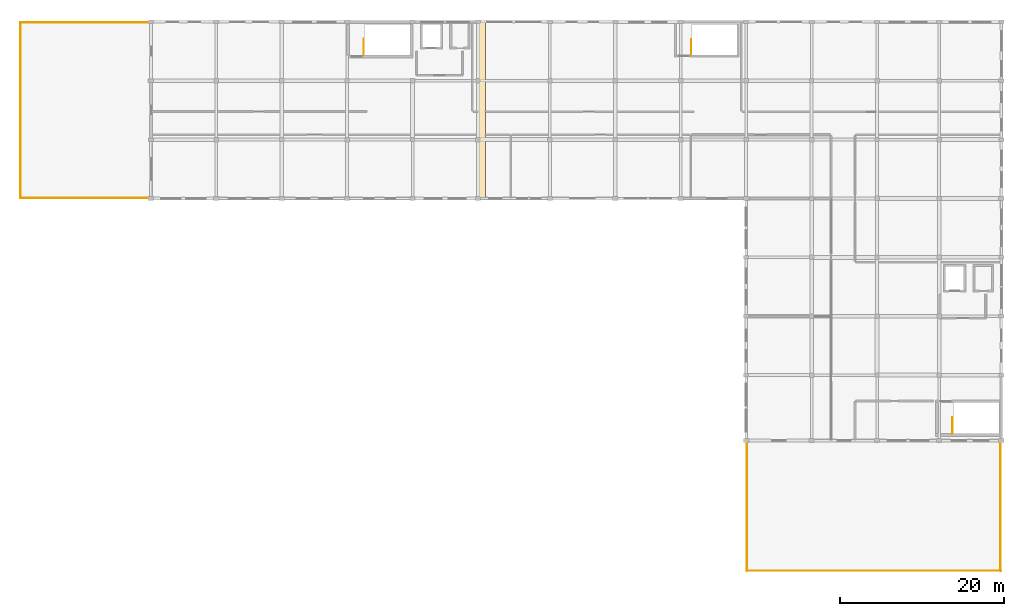
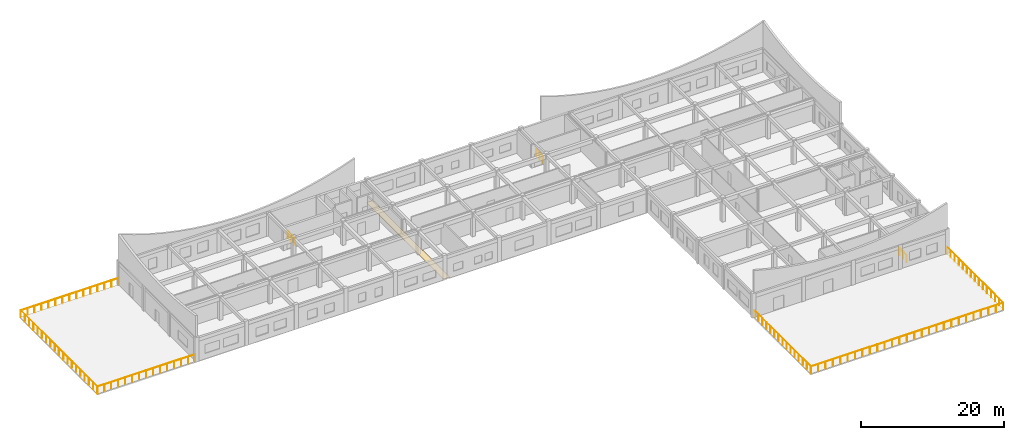
# One storey, part 10 of 10: 9 railings, 1 covering.
"""IFC4 building model written with IfcOpenShell, lengths in metres."""

from ifc_helpers import new_model, si_unit, direction, frame, origin, origin_2d, place, context, subcontext, project, spatial, polyline, circle, outline, extrude, material, layer, layer_set, type_object, element, save


model = new_model("IFC4")

# Units and contexts
model_context = context("Model", 3, precision=1e-05, world=origin(), true_north=direction((0.0, 1.0)))
body_context = subcontext(model_context, "Body", "Model", "MODEL_VIEW")
ifc_project = project(units=[si_unit("LENGTHUNIT", "METRE"), si_unit("AREAUNIT", "SQUARE_METRE"), si_unit("VOLUMEUNIT", "CUBIC_METRE"), si_unit("PLANEANGLEUNIT", "RADIAN"), si_unit("MASSUNIT", "GRAM", prefix="KILO")], contexts=[model_context])

# Site, building, storey
site_placement = place(None, origin())
site = spatial("IfcSite", under=ifc_project, at=site_placement, CompositionType="ELEMENT")
building_placement = place(site_placement, origin())
building = spatial("IfcBuilding", under=site, at=building_placement, Name="Kharva Crest Polytechnic", CompositionType="ELEMENT")
storey_placement = place(building_placement, frame((0.0, 0.0, 25.800048828125)))
storey = spatial("IfcBuildingStorey", under=building, at=storey_placement, Name="L06", CompositionType="ELEMENT", Elevation=25.800048828125)

# Covering
ifc_material = material(Name="Anodised aluminium", Category="aluminium")
ifc_layer = layer(ifc_material, 0.030029296875, Name="Anodised aluminium")
ifc_layer_set = layer_set([ifc_layer], Name="Anodised aluminium")
covering_type = type_object("IfcCoveringType", Name="COV-SEISMIC-JOINT", PredefinedType="FLOORING", material=ifc_layer_set)
covering_placement = place(storey_placement, frame((0.0, 0.0, -0.030029296875)))
element("IfcCovering", 1, at=covering_placement, inside=storey, type_object=covering_type, Name="L06 Seismic Expansion Joint Floor Cover N_CREST_L6", PredefinedType="FLOORING", context=body_context, shape_type="SweptSolid", body=[
    extrude(outline(polyline([(119.89990234375, 100.39990234375), (120.89990234375, 100.39990234375), (120.89990234375, 122.0), (119.89990234375, 122.0), (119.89990234375, 100.39990234375)])), origin(), (0.0, 0.0, 1.0), 0.030029296875),
])

# Railings
railing_type_1 = type_object("IfcRailingType", Name="RL-STAIR-GUARD-1200", PredefinedType="GUARDRAIL", material=ifc_material)
for number, where, name in (
    (2, (106.0400390625, 117.93994140625, 0.0), "L06 ST-04 top well guard 1"),
    (3, (178.0400390625, 71.669921875, 0.0), "L06 ST-05 top well guard 1"),
):
    element("IfcRailing", number, at=place(storey_placement, frame(where)), inside=storey, type_object=railing_type_1, Name=name, PredefinedType="GUARDRAIL", context=body_context, shape_type="SweptSolid", body=[
        extrude(circle(Radius=0.02392578125, at=origin_2d()), frame((0.0, 0.0, 1.17578125), z_axis=(0.0, 1.0, 0.0), x_axis=(-1.0, 0.0, 0.0)), (0.0, 0.0, 1.0), 1.97998046875),
        extrude(circle(Radius=0.02099609375, at=origin_2d()), origin(), (0.0, 0.0, 1.0), 1.15185546875),
        extrude(circle(Radius=0.02099609375, at=origin_2d()), frame((0.0, 0.989990234375, 0.0)), (0.0, 0.0, 1.0), 1.15185546875),
        extrude(circle(Radius=0.02099609375, at=origin_2d()), frame((0.0, 1.97998046875, 0.0)), (0.0, 0.0, 1.0), 1.15185546875),
    ])
railing_1_placement = place(storey_placement, frame((146.080078125, 117.93994140625, 0.0)))
element("IfcRailing", 4, at=railing_1_placement, inside=storey, type_object=railing_type_1, Name="L06 ST-09 top well guard 1", PredefinedType="GUARDRAIL", context=body_context, shape_type="SweptSolid", body=[
    extrude(circle(Radius=0.02392578125, at=origin_2d()), frame((0.0, 0.0, 1.17578125), z_axis=(0.0, 1.0, 0.0), x_axis=(-1.0, 0.0, 0.0)), (0.0, 0.0, 1.0), 1.93994140625),
    extrude(circle(Radius=0.02099609375, at=origin_2d()), origin(), (0.0, 0.0, 1.0), 1.15185546875),
    extrude(circle(Radius=0.02099609375, at=origin_2d()), frame((0.0, 0.969970703125, 0.0)), (0.0, 0.0, 1.0), 1.15185546875),
    extrude(circle(Radius=0.02099609375, at=origin_2d()), frame((0.0, 1.93994140625, 0.0)), (0.0, 0.0, 1.0), 1.15185546875),
])
railing_type_2 = type_object("IfcRailingType", Name="RL-TERRACE-GUARD-1200", PredefinedType="GUARDRAIL", material=ifc_material)
railing_2_placement = place(storey_placement, frame((64.06005859375, 100.47998046875, 0.0)))
element("IfcRailing", 5, at=railing_2_placement, inside=storey, type_object=railing_type_2, Name="L06 TER_N_L06 S Balustrade 32", PredefinedType="GUARDRAIL", context=body_context, shape_type="SweptSolid", body=[
    extrude(circle(Radius=0.02392578125, at=origin_2d()), frame((0.0, 0.0, 1.17578125), z_axis=(1.0, 0.0, 0.0), x_axis=(0.0, 1.0, 0.0)), (0.0, 0.0, 1.0), 15.800048828125),
    extrude(circle(Radius=0.02099609375, at=origin_2d()), origin(), (0.0, 0.0, 1.0), 1.15185546875),
    extrude(circle(Radius=0.02099609375, at=origin_2d()), frame((1.128662109375, 0.0, 0.0)), (0.0, 0.0, 1.0), 1.15185546875),
    extrude(circle(Radius=0.02099609375, at=origin_2d()), frame((2.257080078125, 0.0, 0.0)), (0.0, 0.0, 1.0), 1.15185546875),
    extrude(circle(Radius=0.02099609375, at=origin_2d()), frame((3.3857421875, 0.0, 0.0)), (0.0, 0.0, 1.0), 1.15185546875),
    extrude(circle(Radius=0.02099609375, at=origin_2d()), frame((4.514404296875, 0.0, 0.0)), (0.0, 0.0, 1.0), 1.15185546875),
    extrude(circle(Radius=0.02099609375, at=origin_2d()), frame((5.642822265625, 0.0, 0.0)), (0.0, 0.0, 1.0), 1.15185546875),
    extrude(circle(Radius=0.02099609375, at=origin_2d()), frame((6.771484375, 0.0, 0.0)), (0.0, 0.0, 1.0), 1.15185546875),
    extrude(circle(Radius=0.02099609375, at=origin_2d()), frame((7.89990234375, 0.0, 0.0)), (0.0, 0.0, 1.0), 1.15185546875),
    extrude(circle(Radius=0.02099609375, at=origin_2d()), frame((9.028564453125, 0.0, 0.0)), (0.0, 0.0, 1.0), 1.15185546875),
    extrude(circle(Radius=0.02099609375, at=origin_2d()), frame((10.1572265625, 0.0, 0.0)), (0.0, 0.0, 1.0), 1.15185546875),
    extrude(circle(Radius=0.02099609375, at=origin_2d()), frame((11.28564453125, 0.0, 0.0)), (0.0, 0.0, 1.0), 1.15185546875),
    extrude(circle(Radius=0.02099609375, at=origin_2d()), frame((12.414306640625, 0.0, 0.0)), (0.0, 0.0, 1.0), 1.15185546875),
    extrude(circle(Radius=0.02099609375, at=origin_2d()), frame((13.54296875, 0.0, 0.0)), (0.0, 0.0, 1.0), 1.15185546875),
    extrude(circle(Radius=0.02099609375, at=origin_2d()), frame((14.67138671875, 0.0, 0.0)), (0.0, 0.0, 1.0), 1.15185546875),
    extrude(circle(Radius=0.02099609375, at=origin_2d()), frame((15.800048828125, 0.0, 0.0)), (0.0, 0.0, 1.0), 1.15185546875),
])
railing_3_placement = place(storey_placement, frame((64.06005859375, 121.919921875, 0.0)))
element("IfcRailing", 6, at=railing_3_placement, inside=storey, type_object=railing_type_2, Name="L06 TER_N_L06 N Balustrade 33", PredefinedType="GUARDRAIL", context=body_context, shape_type="SweptSolid", body=[
    extrude(circle(Radius=0.02392578125, at=origin_2d()), frame((0.0, 0.0, 1.17578125), z_axis=(1.0, 0.0, 0.0), x_axis=(0.0, 1.0, 0.0)), (0.0, 0.0, 1.0), 15.800048828125),
    extrude(circle(Radius=0.02099609375, at=origin_2d()), origin(), (0.0, 0.0, 1.0), 1.15185546875),
    extrude(circle(Radius=0.02099609375, at=origin_2d()), frame((1.128662109375, 0.0, 0.0)), (0.0, 0.0, 1.0), 1.15185546875),
    extrude(circle(Radius=0.02099609375, at=origin_2d()), frame((2.257080078125, 0.0, 0.0)), (0.0, 0.0, 1.0), 1.15185546875),
    extrude(circle(Radius=0.02099609375, at=origin_2d()), frame((3.3857421875, 0.0, 0.0)), (0.0, 0.0, 1.0), 1.15185546875),
    extrude(circle(Radius=0.02099609375, at=origin_2d()), frame((4.514404296875, 0.0, 0.0)), (0.0, 0.0, 1.0), 1.15185546875),
    extrude(circle(Radius=0.02099609375, at=origin_2d()), frame((5.642822265625, 0.0, 0.0)), (0.0, 0.0, 1.0), 1.15185546875),
    extrude(circle(Radius=0.02099609375, at=origin_2d()), frame((6.771484375, 0.0, 0.0)), (0.0, 0.0, 1.0), 1.15185546875),
    extrude(circle(Radius=0.02099609375, at=origin_2d()), frame((7.89990234375, 0.0, 0.0)), (0.0, 0.0, 1.0), 1.15185546875),
    extrude(circle(Radius=0.02099609375, at=origin_2d()), frame((9.028564453125, 0.0, 0.0)), (0.0, 0.0, 1.0), 1.15185546875),
    extrude(circle(Radius=0.02099609375, at=origin_2d()), frame((10.1572265625, 0.0, 0.0)), (0.0, 0.0, 1.0), 1.15185546875),
    extrude(circle(Radius=0.02099609375, at=origin_2d()), frame((11.28564453125, 0.0, 0.0)), (0.0, 0.0, 1.0), 1.15185546875),
    extrude(circle(Radius=0.02099609375, at=origin_2d()), frame((12.414306640625, 0.0, 0.0)), (0.0, 0.0, 1.0), 1.15185546875),
    extrude(circle(Radius=0.02099609375, at=origin_2d()), frame((13.54296875, 0.0, 0.0)), (0.0, 0.0, 1.0), 1.15185546875),
    extrude(circle(Radius=0.02099609375, at=origin_2d()), frame((14.67138671875, 0.0, 0.0)), (0.0, 0.0, 1.0), 1.15185546875),
    extrude(circle(Radius=0.02099609375, at=origin_2d()), frame((15.800048828125, 0.0, 0.0)), (0.0, 0.0, 1.0), 1.15185546875),
])
railing_4_placement = place(storey_placement, frame((64.080078125, 100.4599609375, 0.0)))
element("IfcRailing", 7, at=railing_4_placement, inside=storey, type_object=railing_type_2, Name="L06 TER_N_L06 W Balustrade 34", PredefinedType="GUARDRAIL", context=body_context, shape_type="SweptSolid", body=[
    extrude(circle(Radius=0.02392578125, at=origin_2d()), frame((0.0, 0.0, 1.17578125), z_axis=(0.0, 1.0, 0.0), x_axis=(-1.0, 0.0, 0.0)), (0.0, 0.0, 1.0), 21.47998046875),
    extrude(circle(Radius=0.02099609375, at=origin_2d()), origin(), (0.0, 0.0, 1.0), 1.15185546875),
    extrude(circle(Radius=0.02099609375, at=origin_2d()), frame((0.0, 1.193359375, 0.0)), (0.0, 0.0, 1.0), 1.15185546875),
    extrude(circle(Radius=0.02099609375, at=origin_2d()), frame((0.0, 2.38671875, 0.0)), (0.0, 0.0, 1.0), 1.15185546875),
    extrude(circle(Radius=0.02099609375, at=origin_2d()), frame((0.0, 3.580078125, 0.0)), (0.0, 0.0, 1.0), 1.15185546875),
    extrude(circle(Radius=0.02099609375, at=origin_2d()), frame((0.0, 4.7734375, 0.0)), (0.0, 0.0, 1.0), 1.15185546875),
    extrude(circle(Radius=0.02099609375, at=origin_2d()), frame((0.0, 5.966552734375, 0.0)), (0.0, 0.0, 1.0), 1.15185546875),
    extrude(circle(Radius=0.02099609375, at=origin_2d()), frame((0.0, 7.159912109375, 0.0)), (0.0, 0.0, 1.0), 1.15185546875),
    extrude(circle(Radius=0.02099609375, at=origin_2d()), frame((0.0, 8.353271484375, 0.0)), (0.0, 0.0, 1.0), 1.15185546875),
    extrude(circle(Radius=0.02099609375, at=origin_2d()), frame((0.0, 9.546630859375, 0.0)), (0.0, 0.0, 1.0), 1.15185546875),
    extrude(circle(Radius=0.02099609375, at=origin_2d()), frame((0.0, 10.739990234375, 0.0)), (0.0, 0.0, 1.0), 1.15185546875),
    extrude(circle(Radius=0.02099609375, at=origin_2d()), frame((0.0, 11.933349609375, 0.0)), (0.0, 0.0, 1.0), 1.15185546875),
    extrude(circle(Radius=0.02099609375, at=origin_2d()), frame((0.0, 13.126708984375, 0.0)), (0.0, 0.0, 1.0), 1.15185546875),
    extrude(circle(Radius=0.02099609375, at=origin_2d()), frame((0.0, 14.320068359375, 0.0)), (0.0, 0.0, 1.0), 1.15185546875),
    extrude(circle(Radius=0.02099609375, at=origin_2d()), frame((0.0, 15.513427734375, 0.0)), (0.0, 0.0, 1.0), 1.15185546875),
    extrude(circle(Radius=0.02099609375, at=origin_2d()), frame((0.0, 16.70654296875, 0.0)), (0.0, 0.0, 1.0), 1.15185546875),
    extrude(circle(Radius=0.02099609375, at=origin_2d()), frame((0.0, 17.89990234375, 0.0)), (0.0, 0.0, 1.0), 1.15185546875),
    extrude(circle(Radius=0.02099609375, at=origin_2d()), frame((0.0, 19.09326171875, 0.0)), (0.0, 0.0, 1.0), 1.15185546875),
    extrude(circle(Radius=0.02099609375, at=origin_2d()), frame((0.0, 20.28662109375, 0.0)), (0.0, 0.0, 1.0), 1.15185546875),
    extrude(circle(Radius=0.02099609375, at=origin_2d()), frame((0.0, 21.47998046875, 0.0)), (0.0, 0.0, 1.0), 1.15185546875),
])
railing_5_placement = place(storey_placement, frame((152.860107421875, 54.8798828125, 0.0)))
element("IfcRailing", 8, at=railing_5_placement, inside=storey, type_object=railing_type_2, Name="L06 TER_E_L06 S Balustrade 35", PredefinedType="GUARDRAIL", context=body_context, shape_type="SweptSolid", body=[
    extrude(circle(Radius=0.02392578125, at=origin_2d()), frame((0.0, 0.0, 1.17578125), z_axis=(1.0, 0.0, 0.0), x_axis=(0.0, 1.0, 0.0)), (0.0, 0.0, 1.0), 31.079833984375),
    extrude(circle(Radius=0.02099609375, at=origin_2d()), origin(), (0.0, 0.0, 1.0), 1.15185546875),
    extrude(circle(Radius=0.02099609375, at=origin_2d()), frame((1.1953125, 0.0, 0.0)), (0.0, 0.0, 1.0), 1.15185546875),
    extrude(circle(Radius=0.02099609375, at=origin_2d()), frame((2.390869140625, 0.0, 0.0)), (0.0, 0.0, 1.0), 1.15185546875),
    extrude(circle(Radius=0.02099609375, at=origin_2d()), frame((3.586181640625, 0.0, 0.0)), (0.0, 0.0, 1.0), 1.15185546875),
    extrude(circle(Radius=0.02099609375, at=origin_2d()), frame((4.781494140625, 0.0, 0.0)), (0.0, 0.0, 1.0), 1.15185546875),
    extrude(circle(Radius=0.02099609375, at=origin_2d()), frame((5.976806640625, 0.0, 0.0)), (0.0, 0.0, 1.0), 1.15185546875),
    extrude(circle(Radius=0.02099609375, at=origin_2d()), frame((7.17236328125, 0.0, 0.0)), (0.0, 0.0, 1.0), 1.15185546875),
    extrude(circle(Radius=0.02099609375, at=origin_2d()), frame((8.36767578125, 0.0, 0.0)), (0.0, 0.0, 1.0), 1.15185546875),
    extrude(circle(Radius=0.02099609375, at=origin_2d()), frame((9.56298828125, 0.0, 0.0)), (0.0, 0.0, 1.0), 1.15185546875),
    extrude(circle(Radius=0.02099609375, at=origin_2d()), frame((10.75830078125, 0.0, 0.0)), (0.0, 0.0, 1.0), 1.15185546875),
    extrude(circle(Radius=0.02099609375, at=origin_2d()), frame((11.953857421875, 0.0, 0.0)), (0.0, 0.0, 1.0), 1.15185546875),
    extrude(circle(Radius=0.02099609375, at=origin_2d()), frame((13.149169921875, 0.0, 0.0)), (0.0, 0.0, 1.0), 1.15185546875),
    extrude(circle(Radius=0.02099609375, at=origin_2d()), frame((14.344482421875, 0.0, 0.0)), (0.0, 0.0, 1.0), 1.15185546875),
    extrude(circle(Radius=0.02099609375, at=origin_2d()), frame((15.5400390625, 0.0, 0.0)), (0.0, 0.0, 1.0), 1.15185546875),
    extrude(circle(Radius=0.02099609375, at=origin_2d()), frame((16.7353515625, 0.0, 0.0)), (0.0, 0.0, 1.0), 1.15185546875),
    extrude(circle(Radius=0.02099609375, at=origin_2d()), frame((17.9306640625, 0.0, 0.0)), (0.0, 0.0, 1.0), 1.15185546875),
    extrude(circle(Radius=0.02099609375, at=origin_2d()), frame((19.1259765625, 0.0, 0.0)), (0.0, 0.0, 1.0), 1.15185546875),
    extrude(circle(Radius=0.02099609375, at=origin_2d()), frame((20.321533203125, 0.0, 0.0)), (0.0, 0.0, 1.0), 1.15185546875),
    extrude(circle(Radius=0.02099609375, at=origin_2d()), frame((21.516845703125, 0.0, 0.0)), (0.0, 0.0, 1.0), 1.15185546875),
    extrude(circle(Radius=0.02099609375, at=origin_2d()), frame((22.712158203125, 0.0, 0.0)), (0.0, 0.0, 1.0), 1.15185546875),
    extrude(circle(Radius=0.02099609375, at=origin_2d()), frame((23.907470703125, 0.0, 0.0)), (0.0, 0.0, 1.0), 1.15185546875),
    extrude(circle(Radius=0.02099609375, at=origin_2d()), frame((25.10302734375, 0.0, 0.0)), (0.0, 0.0, 1.0), 1.15185546875),
    extrude(circle(Radius=0.02099609375, at=origin_2d()), frame((26.29833984375, 0.0, 0.0)), (0.0, 0.0, 1.0), 1.15185546875),
    extrude(circle(Radius=0.02099609375, at=origin_2d()), frame((27.49365234375, 0.0, 0.0)), (0.0, 0.0, 1.0), 1.15185546875),
    extrude(circle(Radius=0.02099609375, at=origin_2d()), frame((28.68896484375, 0.0, 0.0)), (0.0, 0.0, 1.0), 1.15185546875),
    extrude(circle(Radius=0.02099609375, at=origin_2d()), frame((29.884521484375, 0.0, 0.0)), (0.0, 0.0, 1.0), 1.15185546875),
    extrude(circle(Radius=0.02099609375, at=origin_2d()), frame((31.079833984375, 0.0, 0.0)), (0.0, 0.0, 1.0), 1.15185546875),
])
railing_6_placement = place(storey_placement, frame((152.8798828125, 54.860107421875, 0.0)))
element("IfcRailing", 9, at=railing_6_placement, inside=storey, type_object=railing_type_2, Name="L06 TER_E_L06 W Balustrade 36", PredefinedType="GUARDRAIL", context=body_context, shape_type="SweptSolid", body=[
    extrude(circle(Radius=0.02392578125, at=origin_2d()), frame((0.0, 0.0, 1.17578125), z_axis=(0.0, 1.0, 0.0), x_axis=(-1.0, 0.0, 0.0)), (0.0, 0.0, 1.0), 15.7998046875),
    extrude(circle(Radius=0.02099609375, at=origin_2d()), origin(), (0.0, 0.0, 1.0), 1.15185546875),
    extrude(circle(Radius=0.02099609375, at=origin_2d()), frame((0.0, 1.128662109375, 0.0)), (0.0, 0.0, 1.0), 1.15185546875),
    extrude(circle(Radius=0.02099609375, at=origin_2d()), frame((0.0, 2.257080078125, 0.0)), (0.0, 0.0, 1.0), 1.15185546875),
    extrude(circle(Radius=0.02099609375, at=origin_2d()), frame((0.0, 3.3857421875, 0.0)), (0.0, 0.0, 1.0), 1.15185546875),
    extrude(circle(Radius=0.02099609375, at=origin_2d()), frame((0.0, 4.51416015625, 0.0)), (0.0, 0.0, 1.0), 1.15185546875),
    extrude(circle(Radius=0.02099609375, at=origin_2d()), frame((0.0, 5.642822265625, 0.0)), (0.0, 0.0, 1.0), 1.15185546875),
    extrude(circle(Radius=0.02099609375, at=origin_2d()), frame((0.0, 6.771240234375, 0.0)), (0.0, 0.0, 1.0), 1.15185546875),
    extrude(circle(Radius=0.02099609375, at=origin_2d()), frame((0.0, 7.89990234375, 0.0)), (0.0, 0.0, 1.0), 1.15185546875),
    extrude(circle(Radius=0.02099609375, at=origin_2d()), frame((0.0, 9.028564453125, 0.0)), (0.0, 0.0, 1.0), 1.15185546875),
    extrude(circle(Radius=0.02099609375, at=origin_2d()), frame((0.0, 10.156982421875, 0.0)), (0.0, 0.0, 1.0), 1.15185546875),
    extrude(circle(Radius=0.02099609375, at=origin_2d()), frame((0.0, 11.28564453125, 0.0)), (0.0, 0.0, 1.0), 1.15185546875),
    extrude(circle(Radius=0.02099609375, at=origin_2d()), frame((0.0, 12.4140625, 0.0)), (0.0, 0.0, 1.0), 1.15185546875),
    extrude(circle(Radius=0.02099609375, at=origin_2d()), frame((0.0, 13.542724609375, 0.0)), (0.0, 0.0, 1.0), 1.15185546875),
    extrude(circle(Radius=0.02099609375, at=origin_2d()), frame((0.0, 14.671142578125, 0.0)), (0.0, 0.0, 1.0), 1.15185546875),
    extrude(circle(Radius=0.02099609375, at=origin_2d()), frame((0.0, 15.7998046875, 0.0)), (0.0, 0.0, 1.0), 1.15185546875),
])
railing_7_placement = place(storey_placement, frame((183.919921875, 54.860107421875, 0.0)))
element("IfcRailing", 10, at=railing_7_placement, inside=storey, type_object=railing_type_2, Name="L06 TER_E_L06 E Balustrade 37", PredefinedType="GUARDRAIL", context=body_context, shape_type="SweptSolid", body=[
    extrude(circle(Radius=0.02392578125, at=origin_2d()), frame((0.0, 0.0, 1.17578125), z_axis=(0.0, 1.0, 0.0), x_axis=(-1.0, 0.0, 0.0)), (0.0, 0.0, 1.0), 15.7998046875),
    extrude(circle(Radius=0.02099609375, at=origin_2d()), origin(), (0.0, 0.0, 1.0), 1.15185546875),
    extrude(circle(Radius=0.02099609375, at=origin_2d()), frame((0.0, 1.128662109375, 0.0)), (0.0, 0.0, 1.0), 1.15185546875),
    extrude(circle(Radius=0.02099609375, at=origin_2d()), frame((0.0, 2.257080078125, 0.0)), (0.0, 0.0, 1.0), 1.15185546875),
    extrude(circle(Radius=0.02099609375, at=origin_2d()), frame((0.0, 3.3857421875, 0.0)), (0.0, 0.0, 1.0), 1.15185546875),
    extrude(circle(Radius=0.02099609375, at=origin_2d()), frame((0.0, 4.51416015625, 0.0)), (0.0, 0.0, 1.0), 1.15185546875),
    extrude(circle(Radius=0.02099609375, at=origin_2d()), frame((0.0, 5.642822265625, 0.0)), (0.0, 0.0, 1.0), 1.15185546875),
    extrude(circle(Radius=0.02099609375, at=origin_2d()), frame((0.0, 6.771240234375, 0.0)), (0.0, 0.0, 1.0), 1.15185546875),
    extrude(circle(Radius=0.02099609375, at=origin_2d()), frame((0.0, 7.89990234375, 0.0)), (0.0, 0.0, 1.0), 1.15185546875),
    extrude(circle(Radius=0.02099609375, at=origin_2d()), frame((0.0, 9.028564453125, 0.0)), (0.0, 0.0, 1.0), 1.15185546875),
    extrude(circle(Radius=0.02099609375, at=origin_2d()), frame((0.0, 10.156982421875, 0.0)), (0.0, 0.0, 1.0), 1.15185546875),
    extrude(circle(Radius=0.02099609375, at=origin_2d()), frame((0.0, 11.28564453125, 0.0)), (0.0, 0.0, 1.0), 1.15185546875),
    extrude(circle(Radius=0.02099609375, at=origin_2d()), frame((0.0, 12.4140625, 0.0)), (0.0, 0.0, 1.0), 1.15185546875),
    extrude(circle(Radius=0.02099609375, at=origin_2d()), frame((0.0, 13.542724609375, 0.0)), (0.0, 0.0, 1.0), 1.15185546875),
    extrude(circle(Radius=0.02099609375, at=origin_2d()), frame((0.0, 14.671142578125, 0.0)), (0.0, 0.0, 1.0), 1.15185546875),
    extrude(circle(Radius=0.02099609375, at=origin_2d()), frame((0.0, 15.7998046875, 0.0)), (0.0, 0.0, 1.0), 1.15185546875),
])

save(model, "model.ifc")
